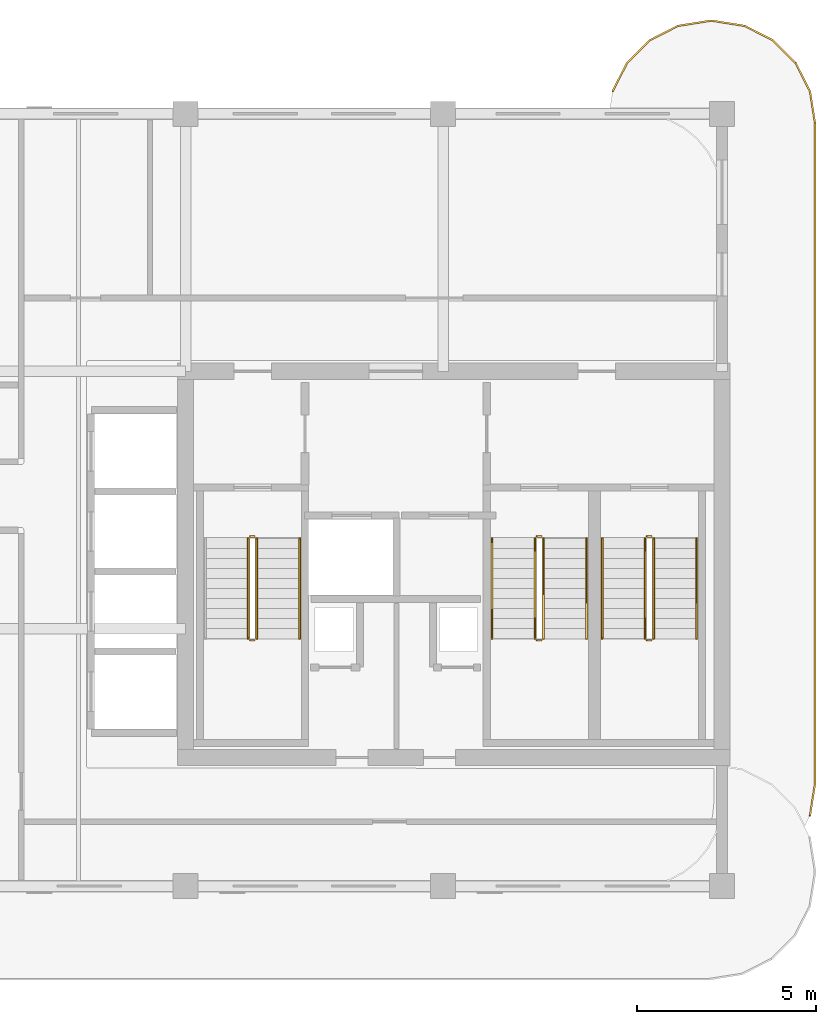
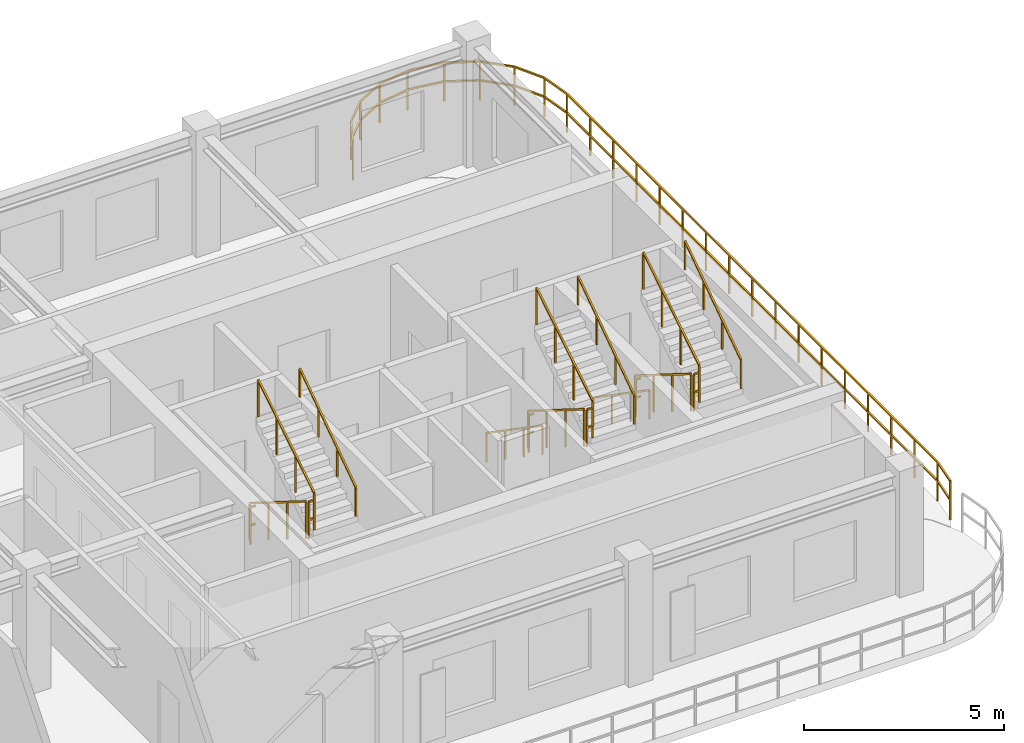
# One storey, part 7 of 7: 18 railings.
"""IFC4 building model written with IfcOpenShell, lengths in metres."""

import ifcopenshell
import ifcopenshell.guid

model = None  # the IFC model being written
_history = None  # IfcOwnerHistory: only IFC2X3 demands one
_inside = {}  # id of a spatial element -> (the spatial element, [elements in it])
_under = {}  # id of a project, library or spatial element -> (it, [spatial elements below it])
_declared = {}  # id of a project -> (the project, [libraries it declares])
_typed = {}  # id of a type object -> (the type object, [elements of that type])
_made_of = {}  # id of a material, layer set ... -> (it, [elements and type objects made of it])


def new_model(schema):
    """Start an empty IFC model of exactly this schema.

    Asked for "IFC4X3", IfcOpenShell would pick the latest addendum, in which some entities
    have other attributes; the version numbers below select the first issue.
    IFC2X3 requires an IfcOwnerHistory on every rooted entity: one is made here for all.
    """
    global model, _history
    if schema == "IFC4X3":
        model = ifcopenshell.file(schema_version=(4, 3, 0, 0))
    else:
        model = ifcopenshell.file(schema=schema)
    _inside.clear()
    _under.clear()
    _declared.clear()
    _typed.clear()
    _made_of.clear()
    _history = None
    if model.schema == "IFC2X3":
        org = make("IfcOrganization", Name="unknown")
        user = make(
            "IfcPersonAndOrganization",
            ThePerson=make("IfcPerson", FamilyName="unknown"),
            TheOrganization=org,
        )
        app = make(
            "IfcApplication",
            ApplicationDeveloper=org,
            Version="unknown",
            ApplicationFullName="unknown",
            ApplicationIdentifier="unknown",
        )
        _history = make(
            "IfcOwnerHistory",
            OwningUser=user,
            OwningApplication=app,
            ChangeAction="ADDED",
            CreationDate=0,
        )
    return model


def make(cls, **values):
    """One entity of the class cls with the attributes given. An attribute that is None is left unset."""
    return model.create_entity(
        cls, **{name: value for name, value in values.items() if value is not None}
    )


def rooted(cls, **values):
    """An entity with a GlobalId (a new one), such as an element, a storey or a relation."""
    return make(cls, GlobalId=ifcopenshell.guid.new(), OwnerHistory=_history, **values)


def si_unit(unit_type, name, prefix=None):
    """IfcSIUnit, for example si_unit("LENGTHUNIT", "METRE", prefix="MILLI")."""
    return make("IfcSIUnit", UnitType=unit_type, Prefix=prefix, Name=name)


def derived_unit(unit_type, elements):
    """IfcDerivedUnit: a product of units, each with its exponent."""
    return make(
        "IfcDerivedUnit",
        Elements=[
            make("IfcDerivedUnitElement", Unit=unit, Exponent=power)
            for unit, power in elements
        ],
        UnitType=unit_type,
    )


def assignment(units):
    """IfcUnitAssignment: the units of a project."""
    return None if units is None else make("IfcUnitAssignment", Units=units)


def point(xyz):
    """IfcCartesianPoint."""
    return None if xyz is None else make("IfcCartesianPoint", Coordinates=xyz)


def direction(xyz):
    """IfcDirection."""
    return None if xyz is None else make("IfcDirection", DirectionRatios=xyz)


def frame(location, z_axis=None, x_axis=None):
    """IfcAxis2Placement3D, a coordinate frame: its origin and axes. An axis left out is left unset."""
    return make(
        "IfcAxis2Placement3D",
        Location=point(location),
        Axis=direction(z_axis),
        RefDirection=direction(x_axis),
    )


def frame_2d(location, x_axis=None):
    """IfcAxis2Placement2D, a coordinate frame in the plane: its origin and x axis."""
    return make(
        "IfcAxis2Placement2D", Location=point(location), RefDirection=direction(x_axis)
    )


def origin():
    """The frame at (0, 0, 0) with its axes left unset."""
    return frame((0.0, 0.0, 0.0))


def origin_2d():
    """The frame at (0, 0) in the plane with its x axis left unset."""
    return frame_2d((0.0, 0.0))


def place(relative_to, where):
    """IfcLocalPlacement: puts the frame where relative to a parent placement (None: the world)."""
    return make(
        "IfcLocalPlacement", PlacementRelTo=relative_to, RelativePlacement=where
    )


def context(
    kind, dimensions, precision=None, world=None, true_north=None, identifier=None
):
    """IfcGeometricRepresentationContext, for example the 3D "Model" context."""
    return make(
        "IfcGeometricRepresentationContext",
        ContextIdentifier=identifier,
        ContextType=kind,
        CoordinateSpaceDimension=dimensions,
        Precision=precision,
        WorldCoordinateSystem=world,
        TrueNorth=true_north,
    )


def subcontext(parent, identifier, kind, view, scale=None):
    """IfcGeometricRepresentationSubContext, for example "Body" below "Model"."""
    return make(
        "IfcGeometricRepresentationSubContext",
        ContextIdentifier=identifier,
        ContextType=kind,
        ParentContext=parent,
        TargetScale=scale,
        TargetView=view,
    )


def project(units=None, contexts=None):
    """IfcProject with its units and contexts."""
    return rooted(
        "IfcProject",
        Name="project",
        RepresentationContexts=contexts,
        UnitsInContext=assignment(units),
    )


def spatial(cls, under=None, at=None, **own):
    """A site, building, storey or space (cls), placed at a placement, below another one or the project."""
    s = rooted(cls, ObjectPlacement=at, **own)
    if under is not None:
        _under.setdefault(under.id(), (under, []))[1].append(s)
    return s


def profile(cls, at=None, kind="AREA", **sizes):
    """A parametric profile (cls). Its sizes go by their IFC names, for example OverallWidth=200.0."""
    return make(cls, ProfileType=kind, Position=at, **sizes)


def rectangle(**sizes):
    """IfcRectangleProfileDef."""
    return profile("IfcRectangleProfileDef", **sizes)


def extrude(swept, where, along, depth):
    """IfcExtrudedAreaSolid: the profile swept, set in the frame where, extruded along a direction by depth."""
    return make(
        "IfcExtrudedAreaSolid",
        SweptArea=swept,
        Position=where,
        ExtrudedDirection=direction(along),
        Depth=depth,
    )


def shape(context_of_items, identifier, shape_type, items):
    """IfcShapeRepresentation: the items that make up one representation, for example the "Body"."""
    return make(
        "IfcShapeRepresentation",
        ContextOfItems=context_of_items,
        RepresentationIdentifier=identifier,
        RepresentationType=shape_type,
        Items=items,
    )


def material(Name=None, Category=None):
    """IfcMaterial."""
    return make("IfcMaterial", Name=Name, Category=Category)


def made_of(thing, what):
    """Note that an element or type object is made of a material, layer set ...; save() writes the relation."""
    if what is not None:
        _made_of.setdefault(what.id(), (what, []))[1].append(thing)
    return thing


def type_object(cls, material=None, **own):
    """A type object (cls), such as IfcWallType, which elements share."""
    return made_of(rooted(cls, **own), material)


def element(
    cls,
    number,
    at=None,
    inside=None,
    cuts=None,
    type_object=None,
    material=None,
    context=None,
    identifier="Body",
    shape_type=None,
    held_by="IfcProductDefinitionShape",
    body=None,
    shapes=None,
    **own,
):
    """One element of the class cls, such as IfcWall. Its Tag is "e" and its number.

    at: its placement. inside: the storey or other place that contains it. cuts: it is an
    opening in that element (IfcRelVoidsElement). A single representation is given by context,
    identifier, shape_type and body (its items); several are given by shapes. held_by: the class
    of the entity that holds the representations. save() writes the other relations.
    """
    e = rooted(cls, Tag="e%d" % number, ObjectPlacement=at, **own)
    if body is not None:
        shapes = [shape(context, identifier, shape_type, body)]
    if shapes is not None:
        e.Representation = make(held_by, Representations=shapes)
    if inside is not None:
        _inside.setdefault(inside.id(), (inside, []))[1].append(e)
    if cuts is not None:
        rooted(
            "IfcRelVoidsElement", RelatingBuildingElement=cuts, RelatedOpeningElement=e
        )
    if type_object is not None:
        _typed.setdefault(type_object.id(), (type_object, []))[1].append(e)
    return made_of(e, material)


def aggregate(whole, parts):
    """IfcRelAggregates: a whole, such as a stair, and the parts it consists of."""
    return rooted("IfcRelAggregates", RelatingObject=whole, RelatedObjects=parts)


def save(model, path):
    """Write the relations noted so far, then the file.

    IfcRelAggregates (storeys below a building ...), IfcRelContainedInSpatialStructure (elements
    in a storey), IfcRelDefinesByType, IfcRelAssociatesMaterial and IfcRelDeclares: one each for
    every whole, place, type object, material and project.
    """
    for whole, parts in _under.values():
        aggregate(whole, parts)
    for where, things in _inside.values():
        rooted(
            "IfcRelContainedInSpatialStructure",
            RelatedElements=things,
            RelatingStructure=where,
        )
    for kind, things in _typed.values():
        rooted("IfcRelDefinesByType", RelatedObjects=things, RelatingType=kind)
    for what, things in _made_of.values():
        rooted("IfcRelAssociatesMaterial", RelatedObjects=things, RelatingMaterial=what)
    for by, libraries in _declared.values():
        rooted("IfcRelDeclares", RelatingContext=by, RelatedDefinitions=libraries)
    model.write(path)


model = new_model("IFC4")

# Units and contexts
model_context = context("Model", 3, precision=1e-05, world=origin(), true_north=direction((0.0, 1.0)))
body_context = subcontext(model_context, "Body", "Model", "MODEL_VIEW")
ifc_project = project(units=[si_unit("LENGTHUNIT", "METRE"), si_unit("AREAUNIT", "SQUARE_METRE"), si_unit("VOLUMEUNIT", "CUBIC_METRE"), si_unit("PLANEANGLEUNIT", "RADIAN"), si_unit("MASSUNIT", "GRAM", prefix="KILO"), si_unit("THERMODYNAMICTEMPERATUREUNIT", "KELVIN"), si_unit("POWERUNIT", "WATT"), derived_unit("THERMALTRANSMITTANCEUNIT", [(si_unit("POWERUNIT", "WATT"), 1), (si_unit("AREAUNIT", "SQUARE_METRE"), -1), (si_unit("THERMODYNAMICTEMPERATUREUNIT", "KELVIN"), -1)])], contexts=[model_context])

# Site, building, storey
site_placement = place(None, origin())
site = spatial("IfcSite", under=ifc_project, at=site_placement, CompositionType="ELEMENT")
building_placement = place(site_placement, origin())
building = spatial("IfcBuilding", under=site, at=building_placement, Name="Zahravan Archway Hotel and Residences", CompositionType="ELEMENT")
storey_placement = place(building_placement, frame((0.0, 0.0, 278.89990234375)))
storey = spatial("IfcBuildingStorey", under=building, at=storey_placement, Name="L70", CompositionType="ELEMENT", Elevation=278.89990234375)

# Railings
ifc_material_1 = material(Name="Bronze & Laminated Glass Balustrade", Category="glass")
railing_type_1 = type_object("IfcRailingType", Name="RL-BAL-1200", PredefinedType="BALUSTRADE", material=ifc_material_1)
railing_1_placement = place(storey_placement, frame((46.739501953125, 22.230712890625, 0.0)))
element("IfcRailing", 1, at=railing_1_placement, inside=storey, type_object=railing_type_1, Name="L70 Balustrade RL-SLB-BAL-L70-EA-1", PredefinedType="BALUSTRADE", context=body_context, shape_type="SweptSolid", body=[
    extrude(rectangle(XDim=0.048095703125, YDim=0.048095703125, at=origin_2d()), frame((0.0, 0.0, 1.17578125), z_axis=(0.453991409995, 0.891006060389, 0.0), x_axis=(-0.891006060389, 0.453991409995, 0.0)), (0.0, 0.0, 1.0), 0.8916015625),
    extrude(rectangle(XDim=0.048095703125, YDim=0.048095703125, at=origin_2d()), frame((0.0, 0.0, 0.60009765625), z_axis=(0.453991409995, 0.891006060389, 0.0), x_axis=(-0.891006060389, 0.453991409995, 0.0)), (0.0, 0.0, 1.0), 0.8916015625),
    extrude(rectangle(XDim=0.048095703125, YDim=0.048095703125, at=origin_2d()), frame((0.40478515625, 0.79443359375, 1.17578125), z_axis=(0.707106781187, 0.707106781187, 0.0), x_axis=(-0.707106781187, 0.707106781187, 0.0)), (0.0, 0.0, 1.0), 0.891845703125),
    extrude(rectangle(XDim=0.048095703125, YDim=0.048095703125, at=origin_2d()), frame((0.40478515625, 0.79443359375, 0.60009765625), z_axis=(0.707106781187, 0.707106781187, 0.0), x_axis=(-0.707106781187, 0.707106781187, 0.0)), (0.0, 0.0, 1.0), 0.891845703125),
    extrude(rectangle(XDim=0.048095703125, YDim=0.048095703125, at=origin_2d()), frame((1.035400390625, 1.425048828125, 1.17578125), z_axis=(0.891006060389, 0.453991409995, 0.0), x_axis=(-0.453991409995, 0.891006060389, 0.0)), (0.0, 0.0, 1.0), 0.8916015625),
    extrude(rectangle(XDim=0.048095703125, YDim=0.048095703125, at=origin_2d()), frame((1.035400390625, 1.425048828125, 0.60009765625), z_axis=(0.891006060389, 0.453991409995, 0.0), x_axis=(-0.453991409995, 0.891006060389, 0.0)), (0.0, 0.0, 1.0), 0.8916015625),
    extrude(rectangle(XDim=0.048095703125, YDim=0.048095703125, at=origin_2d()), frame((1.829833984375, 1.829833984375, 1.17578125), z_axis=(0.987700720307, 0.156356282588, 0.0), x_axis=(-0.156356282588, 0.987700720307, 0.0)), (0.0, 0.0, 1.0), 0.8916015625),
    extrude(rectangle(XDim=0.048095703125, YDim=0.048095703125, at=origin_2d()), frame((1.829833984375, 1.829833984375, 0.60009765625), z_axis=(0.987700720307, 0.156356282588, 0.0), x_axis=(-0.156356282588, 0.987700720307, 0.0)), (0.0, 0.0, 1.0), 0.8916015625),
    extrude(rectangle(XDim=0.048095703125, YDim=0.048095703125, at=origin_2d()), frame((2.71044921875, 1.96923828125, 1.17578125), z_axis=(1.0, 0.0, 0.0), x_axis=(0.0, 1.0, 0.0)), (0.0, 0.0, 1.0), 0.10009765625),
    extrude(rectangle(XDim=0.048095703125, YDim=0.048095703125, at=origin_2d()), frame((2.71044921875, 1.96923828125, 0.60009765625), z_axis=(1.0, 0.0, 0.0), x_axis=(0.0, 1.0, 0.0)), (0.0, 0.0, 1.0), 0.10009765625),
    extrude(rectangle(XDim=0.048095703125, YDim=0.048095703125, at=origin_2d()), frame((2.810546875, 1.96923828125, 1.17578125), z_axis=(0.987700720307, -0.156356282588, 0.0), x_axis=(0.156356282588, 0.987700720307, 0.0)), (0.0, 0.0, 1.0), 0.8916015625),
    extrude(rectangle(XDim=0.048095703125, YDim=0.048095703125, at=origin_2d()), frame((2.810546875, 1.96923828125, 0.60009765625), z_axis=(0.987700720307, -0.156356282588, 0.0), x_axis=(0.156356282588, 0.987700720307, 0.0)), (0.0, 0.0, 1.0), 0.8916015625),
    extrude(rectangle(XDim=0.048095703125, YDim=0.048095703125, at=origin_2d()), frame((3.691162109375, 1.829833984375, 1.17578125), z_axis=(0.891006060389, -0.453991409995, 0.0), x_axis=(0.453991409995, 0.891006060389, 0.0)), (0.0, 0.0, 1.0), 0.8916015625),
    extrude(rectangle(XDim=0.048095703125, YDim=0.048095703125, at=origin_2d()), frame((3.691162109375, 1.829833984375, 0.60009765625), z_axis=(0.891006060389, -0.453991409995, 0.0), x_axis=(0.453991409995, 0.891006060389, 0.0)), (0.0, 0.0, 1.0), 0.8916015625),
    extrude(rectangle(XDim=0.048095703125, YDim=0.048095703125, at=origin_2d()), frame((4.485595703125, 1.425048828125, 1.17578125), z_axis=(0.707106781187, -0.707106781187, 0.0), x_axis=(0.707106781187, 0.707106781187, 0.0)), (0.0, 0.0, 1.0), 0.891845703125),
    extrude(rectangle(XDim=0.048095703125, YDim=0.048095703125, at=origin_2d()), frame((4.485595703125, 1.425048828125, 0.60009765625), z_axis=(0.707106781187, -0.707106781187, 0.0), x_axis=(0.707106781187, 0.707106781187, 0.0)), (0.0, 0.0, 1.0), 0.891845703125),
    extrude(rectangle(XDim=0.048095703125, YDim=0.048095703125, at=origin_2d()), frame((5.1162109375, 0.79443359375, 1.17578125), z_axis=(0.453991409995, -0.891006060389, 0.0), x_axis=(0.891006060389, 0.453991409995, 0.0)), (0.0, 0.0, 1.0), 0.8916015625),
    extrude(rectangle(XDim=0.048095703125, YDim=0.048095703125, at=origin_2d()), frame((5.1162109375, 0.79443359375, 0.60009765625), z_axis=(0.453991409995, -0.891006060389, 0.0), x_axis=(0.891006060389, 0.453991409995, 0.0)), (0.0, 0.0, 1.0), 0.8916015625),
    extrude(rectangle(XDim=0.048095703125, YDim=0.048095703125, at=origin_2d()), frame((5.52099609375, 0.0, 1.17578125), z_axis=(0.156356282588, -0.987700720307, 0.0), x_axis=(0.987700720307, 0.156356282588, 0.0)), (0.0, 0.0, 1.0), 0.8916015625),
    extrude(rectangle(XDim=0.048095703125, YDim=0.048095703125, at=origin_2d()), frame((5.52099609375, 0.0, 0.60009765625), z_axis=(0.156356282588, -0.987700720307, 0.0), x_axis=(0.987700720307, 0.156356282588, 0.0)), (0.0, 0.0, 1.0), 0.8916015625),
    extrude(rectangle(XDim=0.048095703125, YDim=0.048095703125, at=origin_2d()), frame((5.660400390625, -0.880615234375, 1.17578125), z_axis=(0.0, -1.0, 0.0), x_axis=(1.0, 0.0, 0.0)), (0.0, 0.0, 1.0), 18.5),
    extrude(rectangle(XDim=0.048095703125, YDim=0.048095703125, at=origin_2d()), frame((5.660400390625, -0.880615234375, 0.60009765625), z_axis=(0.0, -1.0, 0.0), x_axis=(1.0, 0.0, 0.0)), (0.0, 0.0, 1.0), 18.5),
    extrude(rectangle(XDim=0.048095703125, YDim=0.048095703125, at=origin_2d()), frame((5.660400390625, -19.380615234375, 1.17578125), z_axis=(-0.156314005608, -0.987707411965, 0.0), x_axis=(0.987707411965, -0.156314005608, 0.0)), (0.0, 0.0, 1.0), 0.891845703125),
    extrude(rectangle(XDim=0.048095703125, YDim=0.048095703125, at=origin_2d()), frame((5.660400390625, -19.380615234375, 0.60009765625), z_axis=(-0.156314005608, -0.987707411965, 0.0), x_axis=(0.987707411965, -0.156314005608, 0.0)), (0.0, 0.0, 1.0), 0.891845703125),
    extrude(rectangle(XDim=0.0419921875, YDim=0.0419921875, at=origin_2d()), origin(), (0.0, 0.0, 1.0), 1.15185546875),
    extrude(rectangle(XDim=0.0419921875, YDim=0.0419921875, at=origin_2d()), frame((0.40478515625, 0.79443359375, 0.0)), (0.0, 0.0, 1.0), 1.15185546875),
    extrude(rectangle(XDim=0.0419921875, YDim=0.0419921875, at=origin_2d()), frame((1.035400390625, 1.425048828125, 0.0)), (0.0, 0.0, 1.0), 1.15185546875),
    extrude(rectangle(XDim=0.0419921875, YDim=0.0419921875, at=origin_2d()), frame((1.829833984375, 1.829833984375, 0.0)), (0.0, 0.0, 1.0), 1.15185546875),
    extrude(rectangle(XDim=0.0419921875, YDim=0.0419921875, at=origin_2d()), frame((2.71044921875, 1.96923828125, 0.0)), (0.0, 0.0, 1.0), 1.15185546875),
    extrude(rectangle(XDim=0.0419921875, YDim=0.0419921875, at=origin_2d()), frame((3.691162109375, 1.829833984375, 0.0)), (0.0, 0.0, 1.0), 1.15185546875),
    extrude(rectangle(XDim=0.0419921875, YDim=0.0419921875, at=origin_2d()), frame((4.485595703125, 1.425048828125, 0.0)), (0.0, 0.0, 1.0), 1.15185546875),
    extrude(rectangle(XDim=0.0419921875, YDim=0.0419921875, at=origin_2d()), frame((5.1162109375, 0.79443359375, 0.0)), (0.0, 0.0, 1.0), 1.15185546875),
    extrude(rectangle(XDim=0.0419921875, YDim=0.0419921875, at=origin_2d()), frame((5.52099609375, 0.0, 0.0)), (0.0, 0.0, 1.0), 1.15185546875),
    extrude(rectangle(XDim=0.0419921875, YDim=0.0419921875, at=origin_2d()), frame((5.660400390625, -0.880615234375, 0.0)), (0.0, 0.0, 1.0), 1.15185546875),
    extrude(rectangle(XDim=0.0419921875, YDim=0.0419921875, at=origin_2d()), frame((5.660400390625, -2.036865234375, 0.0)), (0.0, 0.0, 1.0), 1.15185546875),
    extrude(rectangle(XDim=0.0419921875, YDim=0.0419921875, at=origin_2d()), frame((5.660400390625, -3.193115234375, 0.0)), (0.0, 0.0, 1.0), 1.15185546875),
    extrude(rectangle(XDim=0.0419921875, YDim=0.0419921875, at=origin_2d()), frame((5.660400390625, -4.349365234375, 0.0)), (0.0, 0.0, 1.0), 1.15185546875),
    extrude(rectangle(XDim=0.0419921875, YDim=0.0419921875, at=origin_2d()), frame((5.660400390625, -5.505615234375, 0.0)), (0.0, 0.0, 1.0), 1.15185546875),
    extrude(rectangle(XDim=0.0419921875, YDim=0.0419921875, at=origin_2d()), frame((5.660400390625, -6.661865234375, 0.0)), (0.0, 0.0, 1.0), 1.15185546875),
    extrude(rectangle(XDim=0.0419921875, YDim=0.0419921875, at=origin_2d()), frame((5.660400390625, -7.818115234375, 0.0)), (0.0, 0.0, 1.0), 1.15185546875),
    extrude(rectangle(XDim=0.0419921875, YDim=0.0419921875, at=origin_2d()), frame((5.660400390625, -8.974365234375, 0.0)), (0.0, 0.0, 1.0), 1.15185546875),
    extrude(rectangle(XDim=0.0419921875, YDim=0.0419921875, at=origin_2d()), frame((5.660400390625, -10.130615234375, 0.0)), (0.0, 0.0, 1.0), 1.15185546875),
    extrude(rectangle(XDim=0.0419921875, YDim=0.0419921875, at=origin_2d()), frame((5.660400390625, -11.286865234375, 0.0)), (0.0, 0.0, 1.0), 1.15185546875),
    extrude(rectangle(XDim=0.0419921875, YDim=0.0419921875, at=origin_2d()), frame((5.660400390625, -12.443115234375, 0.0)), (0.0, 0.0, 1.0), 1.15185546875),
    extrude(rectangle(XDim=0.0419921875, YDim=0.0419921875, at=origin_2d()), frame((5.660400390625, -13.599365234375, 0.0)), (0.0, 0.0, 1.0), 1.15185546875),
    extrude(rectangle(XDim=0.0419921875, YDim=0.0419921875, at=origin_2d()), frame((5.660400390625, -14.755615234375, 0.0)), (0.0, 0.0, 1.0), 1.15185546875),
    extrude(rectangle(XDim=0.0419921875, YDim=0.0419921875, at=origin_2d()), frame((5.660400390625, -15.911865234375, 0.0)), (0.0, 0.0, 1.0), 1.15185546875),
    extrude(rectangle(XDim=0.0419921875, YDim=0.0419921875, at=origin_2d()), frame((5.660400390625, -17.068115234375, 0.0)), (0.0, 0.0, 1.0), 1.15185546875),
    extrude(rectangle(XDim=0.0419921875, YDim=0.0419921875, at=origin_2d()), frame((5.660400390625, -18.224365234375, 0.0)), (0.0, 0.0, 1.0), 1.15185546875),
    extrude(rectangle(XDim=0.0419921875, YDim=0.0419921875, at=origin_2d()), frame((5.660400390625, -19.380615234375, 0.0)), (0.0, 0.0, 1.0), 1.15185546875),
    extrude(rectangle(XDim=0.0419921875, YDim=0.0419921875, at=origin_2d()), frame((5.52099609375, -20.261474609375, 0.0)), (0.0, 0.0, 1.0), 1.15185546875),
])
ifc_material_2 = material(Name="Painted Tubular Steel", Category="steel")
railing_type_2 = type_object("IfcRailingType", Name="RL-STG-1150", PredefinedType="GUARDRAIL", material=ifc_material_2)
railing_2_placement = place(storey_placement, frame((36.550048828125, 9.72998046875, 0.175048828125)))
element("IfcRailing", 2, at=railing_2_placement, inside=storey, type_object=railing_type_2, Name="L70 ST-A1 stair guard 1", PredefinedType="GUARDRAIL", context=body_context, shape_type="SweptSolid", body=[
    extrude(rectangle(XDim=0.048095703125, YDim=0.048095703125, at=origin_2d()), frame((0.0, 0.0, 1.1259765625), z_axis=(0.0, -0.848002457836, 0.529992293815), x_axis=(1.0, 0.0, 0.0)), (0.0, 0.0, 1.0), 3.302001953125),
    extrude(rectangle(XDim=0.0419921875, YDim=0.0419921875, at=origin_2d()), origin(), (0.0, 0.0, 1.0), 1.101806640625),
    extrude(rectangle(XDim=0.0419921875, YDim=0.0419921875, at=origin_2d()), frame((0.0, -0.933349609375, 0.583251953125)), (0.0, 0.0, 1.0), 1.101806640625),
    extrude(rectangle(XDim=0.0419921875, YDim=0.0419921875, at=origin_2d()), frame((0.0, -1.86669921875, 1.166748046875)), (0.0, 0.0, 1.0), 1.101806640625),
    extrude(rectangle(XDim=0.0419921875, YDim=0.0419921875, at=origin_2d()), frame((0.0, -2.800048828125, 1.75)), (0.0, 0.0, 1.0), 1.101806640625),
])
railing_3_placement = place(storey_placement, frame((36.60009765625, 6.8798828125, 1.925048828125)))
element("IfcRailing", 3, at=railing_3_placement, inside=storey, type_object=railing_type_2, Name="L70 ST-A1 stair guard 2", PredefinedType="GUARDRAIL", context=body_context, shape_type="SweptSolid", body=[
    extrude(rectangle(XDim=0.048095703125, YDim=0.048095703125, at=origin_2d()), frame((0.0, 0.0, 1.1259765625), z_axis=(1.0, 0.0, 0.0), x_axis=(0.0, 1.0, 0.0)), (0.0, 0.0, 1.0), 0.139892578125),
    extrude(rectangle(XDim=0.048095703125, YDim=0.048095703125, at=origin_2d()), frame((0.0, 0.0, 0.574951171875), z_axis=(1.0, 0.0, 0.0), x_axis=(0.0, 1.0, 0.0)), (0.0, 0.0, 1.0), 0.139892578125),
    extrude(rectangle(XDim=0.0419921875, YDim=0.0419921875, at=origin_2d()), origin(), (0.0, 0.0, 1.0), 1.101806640625),
])
railing_4_placement = place(storey_placement, frame((36.7900390625, 6.929931640625, 2.10009765625)))
element("IfcRailing", 4, at=railing_4_placement, inside=storey, type_object=railing_type_2, Name="L70 ST-A1 stair guard 3", PredefinedType="GUARDRAIL", context=body_context, shape_type="SweptSolid", body=[
    extrude(rectangle(XDim=0.048095703125, YDim=0.048095703125, at=origin_2d()), frame((0.0, 0.0, 1.1259765625), z_axis=(0.0, 0.848002457836, 0.529992293815), x_axis=(-1.0, 0.0, 0.0)), (0.0, 0.0, 1.0), 3.302001953125),
    extrude(rectangle(XDim=0.0419921875, YDim=0.0419921875, at=origin_2d()), origin(), (0.0, 0.0, 1.0), 1.101806640625),
    extrude(rectangle(XDim=0.0419921875, YDim=0.0419921875, at=origin_2d()), frame((0.0, 0.933349609375, 0.583251953125)), (0.0, 0.0, 1.0), 1.101806640625),
    extrude(rectangle(XDim=0.0419921875, YDim=0.0419921875, at=origin_2d()), frame((0.0, 1.86669921875, 1.166748046875)), (0.0, 0.0, 1.0), 1.101806640625),
    extrude(rectangle(XDim=0.0419921875, YDim=0.0419921875, at=origin_2d()), frame((0.0, 2.800048828125, 1.75)), (0.0, 0.0, 1.0), 1.101806640625),
])
railing_5_placement = place(storey_placement, frame((36.60009765625, 9.780029296875, 0.0)))
element("IfcRailing", 5, at=railing_5_placement, inside=storey, type_object=railing_type_2, Name="L70 ST-A1 stair guard 4", PredefinedType="GUARDRAIL", context=body_context, shape_type="SweptSolid", body=[
    extrude(rectangle(XDim=0.048095703125, YDim=0.048095703125, at=origin_2d()), frame((0.0, 0.0, 1.1259765625), z_axis=(1.0, 0.0, 0.0), x_axis=(0.0, 1.0, 0.0)), (0.0, 0.0, 1.0), 0.139892578125),
    extrude(rectangle(XDim=0.048095703125, YDim=0.048095703125, at=origin_2d()), frame((0.0, 0.0, 0.574951171875), z_axis=(1.0, 0.0, 0.0), x_axis=(0.0, 1.0, 0.0)), (0.0, 0.0, 1.0), 0.139892578125),
    extrude(rectangle(XDim=0.0419921875, YDim=0.0419921875, at=origin_2d()), origin(), (0.0, 0.0, 1.0), 1.101806640625),
])
railing_6_placement = place(storey_placement, frame((44.570068359375, 9.72998046875, 0.175048828125)))
element("IfcRailing", 6, at=railing_6_placement, inside=storey, type_object=railing_type_2, Name="L70 ST-A2 stair guard 1", PredefinedType="GUARDRAIL", context=body_context, shape_type="SweptSolid", body=[
    extrude(rectangle(XDim=0.048095703125, YDim=0.048095703125, at=origin_2d()), frame((0.0, 0.0, 1.1259765625), z_axis=(0.0, -0.848002457836, 0.529992293815), x_axis=(1.0, 0.0, 0.0)), (0.0, 0.0, 1.0), 3.302001953125),
    extrude(rectangle(XDim=0.0419921875, YDim=0.0419921875, at=origin_2d()), origin(), (0.0, 0.0, 1.0), 1.101806640625),
    extrude(rectangle(XDim=0.0419921875, YDim=0.0419921875, at=origin_2d()), frame((0.0, -0.933349609375, 0.583251953125)), (0.0, 0.0, 1.0), 1.101806640625),
    extrude(rectangle(XDim=0.0419921875, YDim=0.0419921875, at=origin_2d()), frame((0.0, -1.86669921875, 1.166748046875)), (0.0, 0.0, 1.0), 1.101806640625),
    extrude(rectangle(XDim=0.0419921875, YDim=0.0419921875, at=origin_2d()), frame((0.0, -2.800048828125, 1.75)), (0.0, 0.0, 1.0), 1.101806640625),
])
railing_7_placement = place(storey_placement, frame((44.6201171875, 6.8798828125, 1.925048828125)))
element("IfcRailing", 7, at=railing_7_placement, inside=storey, type_object=railing_type_2, Name="L70 ST-A2 stair guard 2", PredefinedType="GUARDRAIL", context=body_context, shape_type="SweptSolid", body=[
    extrude(rectangle(XDim=0.048095703125, YDim=0.048095703125, at=origin_2d()), frame((0.0, 0.0, 1.1259765625), z_axis=(1.0, 0.0, 0.0), x_axis=(0.0, 1.0, 0.0)), (0.0, 0.0, 1.0), 0.139892578125),
    extrude(rectangle(XDim=0.048095703125, YDim=0.048095703125, at=origin_2d()), frame((0.0, 0.0, 0.574951171875), z_axis=(1.0, 0.0, 0.0), x_axis=(0.0, 1.0, 0.0)), (0.0, 0.0, 1.0), 0.139892578125),
    extrude(rectangle(XDim=0.0419921875, YDim=0.0419921875, at=origin_2d()), origin(), (0.0, 0.0, 1.0), 1.101806640625),
])
railing_8_placement = place(storey_placement, frame((44.81005859375, 6.929931640625, 2.10009765625)))
element("IfcRailing", 8, at=railing_8_placement, inside=storey, type_object=railing_type_2, Name="L70 ST-A2 stair guard 3", PredefinedType="GUARDRAIL", context=body_context, shape_type="SweptSolid", body=[
    extrude(rectangle(XDim=0.048095703125, YDim=0.048095703125, at=origin_2d()), frame((0.0, 0.0, 1.1259765625), z_axis=(0.0, 0.848002457836, 0.529992293815), x_axis=(-1.0, 0.0, 0.0)), (0.0, 0.0, 1.0), 3.302001953125),
    extrude(rectangle(XDim=0.0419921875, YDim=0.0419921875, at=origin_2d()), origin(), (0.0, 0.0, 1.0), 1.101806640625),
    extrude(rectangle(XDim=0.0419921875, YDim=0.0419921875, at=origin_2d()), frame((0.0, 0.933349609375, 0.583251953125)), (0.0, 0.0, 1.0), 1.101806640625),
    extrude(rectangle(XDim=0.0419921875, YDim=0.0419921875, at=origin_2d()), frame((0.0, 1.86669921875, 1.166748046875)), (0.0, 0.0, 1.0), 1.101806640625),
    extrude(rectangle(XDim=0.0419921875, YDim=0.0419921875, at=origin_2d()), frame((0.0, 2.800048828125, 1.75)), (0.0, 0.0, 1.0), 1.101806640625),
])
railing_9_placement = place(storey_placement, frame((44.6201171875, 9.780029296875, 0.0)))
element("IfcRailing", 9, at=railing_9_placement, inside=storey, type_object=railing_type_2, Name="L70 ST-A2 stair guard 4", PredefinedType="GUARDRAIL", context=body_context, shape_type="SweptSolid", body=[
    extrude(rectangle(XDim=0.048095703125, YDim=0.048095703125, at=origin_2d()), frame((0.0, 0.0, 1.1259765625), z_axis=(1.0, 0.0, 0.0), x_axis=(0.0, 1.0, 0.0)), (0.0, 0.0, 1.0), 0.139892578125),
    extrude(rectangle(XDim=0.048095703125, YDim=0.048095703125, at=origin_2d()), frame((0.0, 0.0, 0.574951171875), z_axis=(1.0, 0.0, 0.0), x_axis=(0.0, 1.0, 0.0)), (0.0, 0.0, 1.0), 0.139892578125),
    extrude(rectangle(XDim=0.0419921875, YDim=0.0419921875, at=origin_2d()), origin(), (0.0, 0.0, 1.0), 1.101806640625),
])
railing_10_placement = place(storey_placement, frame((47.64990234375, 9.72998046875, 0.175048828125)))
element("IfcRailing", 10, at=railing_10_placement, inside=storey, type_object=railing_type_2, Name="L70 ST-A3 stair guard 1", PredefinedType="GUARDRAIL", context=body_context, shape_type="SweptSolid", body=[
    extrude(rectangle(XDim=0.048095703125, YDim=0.048095703125, at=origin_2d()), frame((0.0, 0.0, 1.1259765625), z_axis=(0.0, -0.848002457836, 0.529992293815), x_axis=(1.0, 0.0, 0.0)), (0.0, 0.0, 1.0), 3.302001953125),
    extrude(rectangle(XDim=0.0419921875, YDim=0.0419921875, at=origin_2d()), origin(), (0.0, 0.0, 1.0), 1.101806640625),
    extrude(rectangle(XDim=0.0419921875, YDim=0.0419921875, at=origin_2d()), frame((0.0, -0.933349609375, 0.583251953125)), (0.0, 0.0, 1.0), 1.101806640625),
    extrude(rectangle(XDim=0.0419921875, YDim=0.0419921875, at=origin_2d()), frame((0.0, -1.86669921875, 1.166748046875)), (0.0, 0.0, 1.0), 1.101806640625),
    extrude(rectangle(XDim=0.0419921875, YDim=0.0419921875, at=origin_2d()), frame((0.0, -2.800048828125, 1.75)), (0.0, 0.0, 1.0), 1.101806640625),
])
railing_11_placement = place(storey_placement, frame((47.699951171875, 6.8798828125, 1.925048828125)))
element("IfcRailing", 11, at=railing_11_placement, inside=storey, type_object=railing_type_2, Name="L70 ST-A3 stair guard 2", PredefinedType="GUARDRAIL", context=body_context, shape_type="SweptSolid", body=[
    extrude(rectangle(XDim=0.048095703125, YDim=0.048095703125, at=origin_2d()), frame((0.0, 0.0, 1.1259765625), z_axis=(1.0, 0.0, 0.0), x_axis=(0.0, 1.0, 0.0)), (0.0, 0.0, 1.0), 0.14013671875),
    extrude(rectangle(XDim=0.048095703125, YDim=0.048095703125, at=origin_2d()), frame((0.0, 0.0, 0.574951171875), z_axis=(1.0, 0.0, 0.0), x_axis=(0.0, 1.0, 0.0)), (0.0, 0.0, 1.0), 0.14013671875),
    extrude(rectangle(XDim=0.0419921875, YDim=0.0419921875, at=origin_2d()), origin(), (0.0, 0.0, 1.0), 1.101806640625),
])
railing_12_placement = place(storey_placement, frame((47.889892578125, 6.929931640625, 2.10009765625)))
element("IfcRailing", 12, at=railing_12_placement, inside=storey, type_object=railing_type_2, Name="L70 ST-A3 stair guard 3", PredefinedType="GUARDRAIL", context=body_context, shape_type="SweptSolid", body=[
    extrude(rectangle(XDim=0.048095703125, YDim=0.048095703125, at=origin_2d()), frame((0.0, 0.0, 1.1259765625), z_axis=(0.0, 0.848002457836, 0.529992293815), x_axis=(-1.0, 0.0, 0.0)), (0.0, 0.0, 1.0), 3.302001953125),
    extrude(rectangle(XDim=0.0419921875, YDim=0.0419921875, at=origin_2d()), origin(), (0.0, 0.0, 1.0), 1.101806640625),
    extrude(rectangle(XDim=0.0419921875, YDim=0.0419921875, at=origin_2d()), frame((0.0, 0.933349609375, 0.583251953125)), (0.0, 0.0, 1.0), 1.101806640625),
    extrude(rectangle(XDim=0.0419921875, YDim=0.0419921875, at=origin_2d()), frame((0.0, 1.86669921875, 1.166748046875)), (0.0, 0.0, 1.0), 1.101806640625),
    extrude(rectangle(XDim=0.0419921875, YDim=0.0419921875, at=origin_2d()), frame((0.0, 2.800048828125, 1.75)), (0.0, 0.0, 1.0), 1.101806640625),
])
railing_13_placement = place(storey_placement, frame((47.699951171875, 9.780029296875, 0.0)))
element("IfcRailing", 13, at=railing_13_placement, inside=storey, type_object=railing_type_2, Name="L70 ST-A3 stair guard 4", PredefinedType="GUARDRAIL", context=body_context, shape_type="SweptSolid", body=[
    extrude(rectangle(XDim=0.048095703125, YDim=0.048095703125, at=origin_2d()), frame((0.0, 0.0, 1.1259765625), z_axis=(1.0, 0.0, 0.0), x_axis=(0.0, 1.0, 0.0)), (0.0, 0.0, 1.0), 0.14013671875),
    extrude(rectangle(XDim=0.048095703125, YDim=0.048095703125, at=origin_2d()), frame((0.0, 0.0, 0.574951171875), z_axis=(1.0, 0.0, 0.0), x_axis=(0.0, 1.0, 0.0)), (0.0, 0.0, 1.0), 0.14013671875),
    extrude(rectangle(XDim=0.0419921875, YDim=0.0419921875, at=origin_2d()), origin(), (0.0, 0.0, 1.0), 1.101806640625),
])
ifc_material_3 = material(Name="Brushed Stainless Steel", Category="steel")
railing_type_3 = type_object("IfcRailingType", Name="RL-STH-900", PredefinedType="HANDRAIL", material=ifc_material_3)
railing_14_placement = place(storey_placement, frame((37.989990234375, 6.929931640625, 2.10009765625)))
element("IfcRailing", 14, at=railing_14_placement, inside=storey, type_object=railing_type_3, Name="L70 ST-A1 stair handrail 2", PredefinedType="HANDRAIL", context=body_context, shape_type="SweptSolid", body=[
    extrude(rectangle(XDim=0.048095703125, YDim=0.048095703125, at=origin_2d()), frame((0.0, 0.0, 0.8759765625), z_axis=(0.0, 0.824039827795, 0.566531872191), x_axis=(-1.0, 0.0, 0.0)), (0.0, 0.0, 1.0), 3.39794921875),
    extrude(rectangle(XDim=0.0419921875, YDim=0.0419921875, at=origin_2d()), origin(), (0.0, 0.0, 1.0), 0.851806640625),
    extrude(rectangle(XDim=0.0419921875, YDim=0.0419921875, at=origin_2d()), frame((0.0, 0.933349609375, 0.6416015625)), (0.0, 0.0, 1.0), 0.851806640625),
    extrude(rectangle(XDim=0.0419921875, YDim=0.0419921875, at=origin_2d()), frame((0.0, 1.86669921875, 1.283447265625)), (0.0, 0.0, 1.0), 0.851806640625),
    extrude(rectangle(XDim=0.0419921875, YDim=0.0419921875, at=origin_2d()), frame((0.0, 2.800048828125, 1.925048828125)), (0.0, 0.0, 1.0), 0.851806640625),
])
railing_15_placement = place(storey_placement, frame((43.3701171875, 9.72998046875, 0.175048828125)))
element("IfcRailing", 15, at=railing_15_placement, inside=storey, type_object=railing_type_3, Name="L70 ST-A2 stair handrail 1", PredefinedType="HANDRAIL", context=body_context, shape_type="SweptSolid", body=[
    extrude(rectangle(XDim=0.048095703125, YDim=0.048095703125, at=origin_2d()), frame((0.0, 0.0, 0.8759765625), z_axis=(0.0, -0.824039827795, 0.566531872191), x_axis=(1.0, 0.0, 0.0)), (0.0, 0.0, 1.0), 3.39794921875),
    extrude(rectangle(XDim=0.0419921875, YDim=0.0419921875, at=origin_2d()), origin(), (0.0, 0.0, 1.0), 0.851806640625),
    extrude(rectangle(XDim=0.0419921875, YDim=0.0419921875, at=origin_2d()), frame((0.0, -0.933349609375, 0.6416015625)), (0.0, 0.0, 1.0), 0.851806640625),
    extrude(rectangle(XDim=0.0419921875, YDim=0.0419921875, at=origin_2d()), frame((0.0, -1.86669921875, 1.283447265625)), (0.0, 0.0, 1.0), 0.851806640625),
    extrude(rectangle(XDim=0.0419921875, YDim=0.0419921875, at=origin_2d()), frame((0.0, -2.800048828125, 1.925048828125)), (0.0, 0.0, 1.0), 0.851806640625),
])
railing_16_placement = place(storey_placement, frame((46.010009765625, 6.929931640625, 2.10009765625)))
element("IfcRailing", 16, at=railing_16_placement, inside=storey, type_object=railing_type_3, Name="L70 ST-A2 stair handrail 2", PredefinedType="HANDRAIL", context=body_context, shape_type="SweptSolid", body=[
    extrude(rectangle(XDim=0.048095703125, YDim=0.048095703125, at=origin_2d()), frame((0.0, 0.0, 0.8759765625), z_axis=(0.0, 0.824039827795, 0.566531872191), x_axis=(-1.0, 0.0, 0.0)), (0.0, 0.0, 1.0), 3.39794921875),
    extrude(rectangle(XDim=0.0419921875, YDim=0.0419921875, at=origin_2d()), origin(), (0.0, 0.0, 1.0), 0.851806640625),
    extrude(rectangle(XDim=0.0419921875, YDim=0.0419921875, at=origin_2d()), frame((0.0, 0.933349609375, 0.6416015625)), (0.0, 0.0, 1.0), 0.851806640625),
    extrude(rectangle(XDim=0.0419921875, YDim=0.0419921875, at=origin_2d()), frame((0.0, 1.86669921875, 1.283447265625)), (0.0, 0.0, 1.0), 0.851806640625),
    extrude(rectangle(XDim=0.0419921875, YDim=0.0419921875, at=origin_2d()), frame((0.0, 2.800048828125, 1.925048828125)), (0.0, 0.0, 1.0), 0.851806640625),
])
railing_17_placement = place(storey_placement, frame((46.449951171875, 9.72998046875, 0.175048828125)))
element("IfcRailing", 17, at=railing_17_placement, inside=storey, type_object=railing_type_3, Name="L70 ST-A3 stair handrail 1", PredefinedType="HANDRAIL", context=body_context, shape_type="SweptSolid", body=[
    extrude(rectangle(XDim=0.048095703125, YDim=0.048095703125, at=origin_2d()), frame((0.0, 0.0, 0.8759765625), z_axis=(0.0, -0.824039827795, 0.566531872191), x_axis=(1.0, 0.0, 0.0)), (0.0, 0.0, 1.0), 3.39794921875),
    extrude(rectangle(XDim=0.0419921875, YDim=0.0419921875, at=origin_2d()), origin(), (0.0, 0.0, 1.0), 0.851806640625),
    extrude(rectangle(XDim=0.0419921875, YDim=0.0419921875, at=origin_2d()), frame((0.0, -0.933349609375, 0.6416015625)), (0.0, 0.0, 1.0), 0.851806640625),
    extrude(rectangle(XDim=0.0419921875, YDim=0.0419921875, at=origin_2d()), frame((0.0, -1.86669921875, 1.283447265625)), (0.0, 0.0, 1.0), 0.851806640625),
    extrude(rectangle(XDim=0.0419921875, YDim=0.0419921875, at=origin_2d()), frame((0.0, -2.800048828125, 1.925048828125)), (0.0, 0.0, 1.0), 0.851806640625),
])
railing_18_placement = place(storey_placement, frame((49.090087890625, 6.929931640625, 2.10009765625)))
element("IfcRailing", 18, at=railing_18_placement, inside=storey, type_object=railing_type_3, Name="L70 ST-A3 stair handrail 2", PredefinedType="HANDRAIL", context=body_context, shape_type="SweptSolid", body=[
    extrude(rectangle(XDim=0.048095703125, YDim=0.048095703125, at=origin_2d()), frame((0.0, 0.0, 0.8759765625), z_axis=(0.0, 0.824039827795, 0.566531872191), x_axis=(-1.0, 0.0, 0.0)), (0.0, 0.0, 1.0), 3.39794921875),
    extrude(rectangle(XDim=0.0419921875, YDim=0.0419921875, at=origin_2d()), origin(), (0.0, 0.0, 1.0), 0.851806640625),
    extrude(rectangle(XDim=0.0419921875, YDim=0.0419921875, at=origin_2d()), frame((0.0, 0.933349609375, 0.6416015625)), (0.0, 0.0, 1.0), 0.851806640625),
    extrude(rectangle(XDim=0.0419921875, YDim=0.0419921875, at=origin_2d()), frame((0.0, 1.86669921875, 1.283447265625)), (0.0, 0.0, 1.0), 0.851806640625),
    extrude(rectangle(XDim=0.0419921875, YDim=0.0419921875, at=origin_2d()), frame((0.0, 2.800048828125, 1.925048828125)), (0.0, 0.0, 1.0), 0.851806640625),
])

save(model, "model.ifc")
